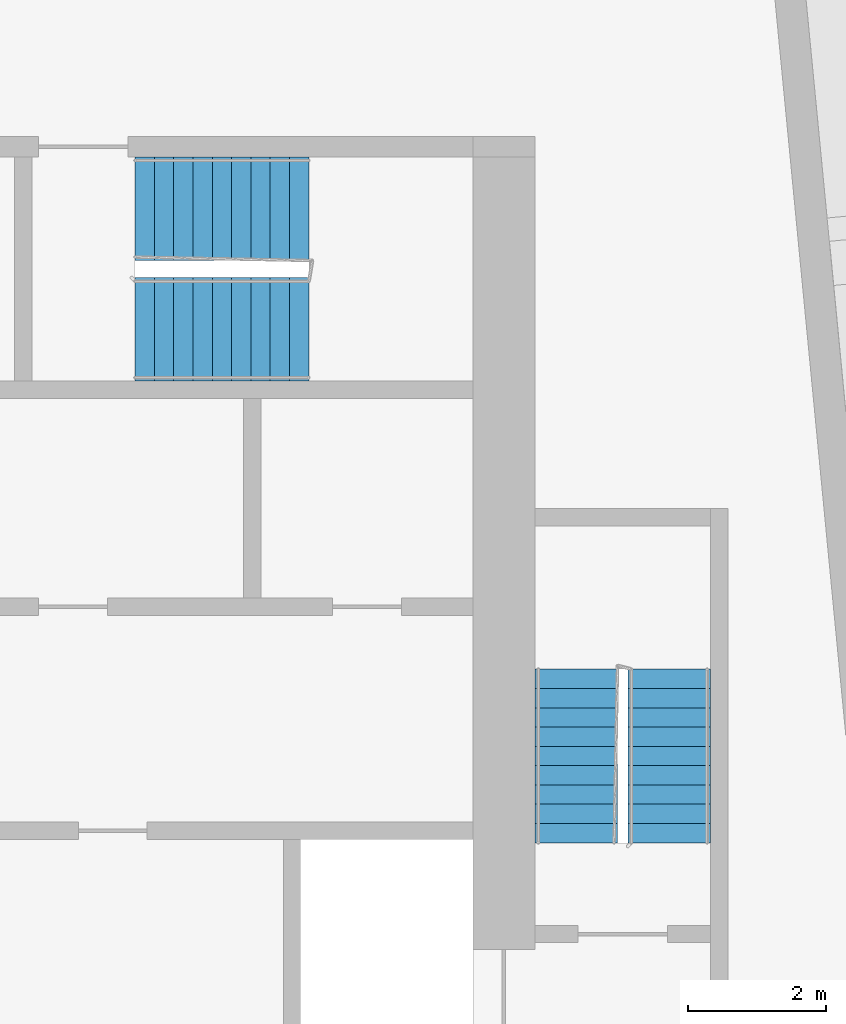
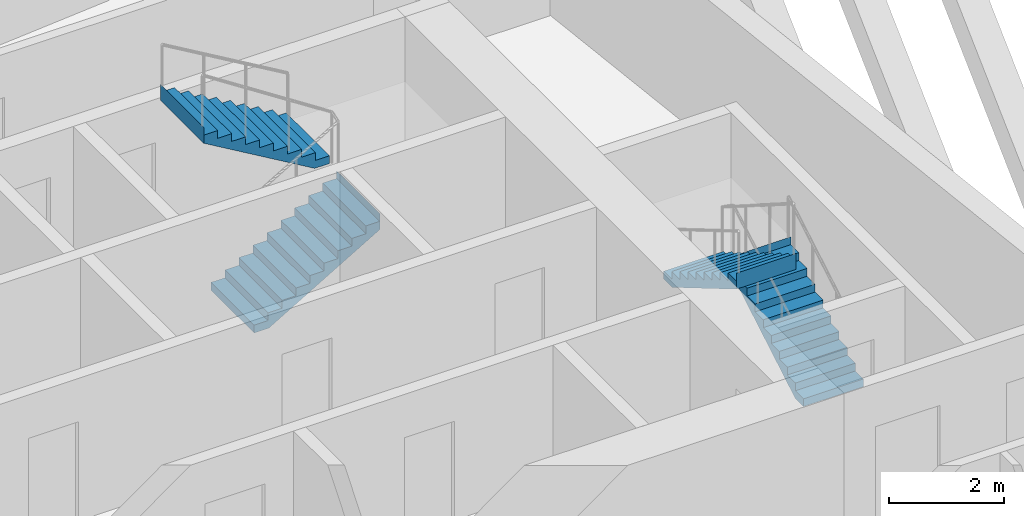
# One storey, part 10 of 12: 4 stair flights, 2 elements without a shape of their own.
"""IFC4 building model written with IfcOpenShell, lengths in metres."""

from ifc_helpers import new_model, si_unit, direction, frame, origin, place, context, subcontext, project, spatial, faceted_brep, material, type_object, element, aggregate, save


model = new_model("IFC4")

# Units and contexts
model_context = context("Model", 3, precision=1e-05, world=origin(), true_north=direction((0.0, 1.0)))
body_context = subcontext(model_context, "Body", "Model", "MODEL_VIEW")
ifc_project = project(units=[si_unit("LENGTHUNIT", "METRE"), si_unit("AREAUNIT", "SQUARE_METRE"), si_unit("VOLUMEUNIT", "CUBIC_METRE"), si_unit("PLANEANGLEUNIT", "RADIAN"), si_unit("MASSUNIT", "GRAM", prefix="KILO")], contexts=[model_context])

# Site, building, storey
site_placement = place(None, origin())
site = spatial("IfcSite", under=ifc_project, at=site_placement, CompositionType="ELEMENT")
building_placement = place(site_placement, origin())
building = spatial("IfcBuilding", under=site, at=building_placement, Name="Kajstack Hotel Tower", CompositionType="ELEMENT")
storey_placement = place(building_placement, frame((0.0, 0.0, 288.300048828125)))
storey = spatial("IfcBuildingStorey", under=building, at=storey_placement, Name="L72", CompositionType="ELEMENT", Elevation=288.300048828125)

# Stair, stair flights
ifc_material = material(Name="Concrete C40/50", Category="concrete")
stair_type_1 = type_object("IfcStairType", Name="Exit stair 1200", PredefinedType="HALF_TURN_STAIR", material=ifc_material)
stair_1_placement = place(storey_placement, origin())
stair_1 = element("IfcStair", 1, at=stair_1_placement, inside=storey, type_object=stair_type_1, Name="L72 stair E1", PredefinedType="HALF_TURN_STAIR")
stair_flight_type_1 = type_object("IfcStairFlightType", Name="Exit stair flight 1200", PredefinedType="STRAIGHT", material=ifc_material)
stair_flight_1_placement = place(storey_placement, frame((33.449951171875, 5.25, 0.0), z_axis=(0.0, 0.0, 1.0), x_axis=(0.0, 1.0, 0.0)))
stair_flight_1 = element("IfcStairFlight", 2, at=stair_flight_1_placement, type_object=stair_flight_type_1, Name="E1 flight 1", NumberOfRisers=10, NumberOfTreads=9, PredefinedType="STRAIGHT", RiserHeight=0.165, TreadLength=0.28, context=body_context, shape_type="Brep", body=[
    faceted_brep([(0.295654296875, -0.60009765625, 0.0), (2.5205078125, -0.60009765625, 1.31103515625), (2.5205078125, -0.60009765625, 1.64990234375), (2.52001953125, -0.60009765625, 1.64990234375), (2.52001953125, -0.60009765625, 1.485107421875), (2.239990234375, -0.60009765625, 1.485107421875), (2.239990234375, -0.60009765625, 1.320068359375), (1.9599609375, -0.60009765625, 1.320068359375), (1.9599609375, -0.60009765625, 1.155029296875), (1.679931640625, -0.60009765625, 1.155029296875), (1.679931640625, -0.60009765625, 0.989990234375), (1.39990234375, -0.60009765625, 0.989990234375), (1.39990234375, -0.60009765625, 0.824951171875), (1.1201171875, -0.60009765625, 0.824951171875), (1.1201171875, -0.60009765625, 0.659912109375), (0.840087890625, -0.60009765625, 0.659912109375), (0.840087890625, -0.60009765625, 0.4951171875), (0.56005859375, -0.60009765625, 0.4951171875), (0.56005859375, -0.60009765625, 0.330078125), (0.280029296875, -0.60009765625, 0.330078125), (0.280029296875, -0.60009765625, 0.1650390625), (-0.00048828125, -0.60009765625, 0.1650390625), (-0.00048828125, -0.60009765625, 0.0), (-0.00048828125, 0.60009765625, 0.0), (-0.00048828125, 0.60009765625, 0.1650390625), (0.280029296875, 0.60009765625, 0.1650390625), (0.280029296875, 0.60009765625, 0.330078125), (0.56005859375, 0.60009765625, 0.330078125), (0.56005859375, 0.60009765625, 0.4951171875), (0.840087890625, 0.60009765625, 0.4951171875), (0.840087890625, 0.60009765625, 0.659912109375), (1.1201171875, 0.60009765625, 0.659912109375), (1.1201171875, 0.60009765625, 0.824951171875), (1.39990234375, 0.60009765625, 0.824951171875), (1.39990234375, 0.60009765625, 0.989990234375), (1.679931640625, 0.60009765625, 0.989990234375), (1.679931640625, 0.60009765625, 1.155029296875), (1.9599609375, 0.60009765625, 1.155029296875), (1.9599609375, 0.60009765625, 1.320068359375), (2.239990234375, 0.60009765625, 1.320068359375), (2.239990234375, 0.60009765625, 1.485107421875), (2.52001953125, 0.60009765625, 1.485107421875), (2.52001953125, 0.60009765625, 1.64990234375), (2.5205078125, 0.60009765625, 1.64990234375), (2.5205078125, 0.60009765625, 1.31103515625), (0.295654296875, 0.60009765625, 0.0), (-0.00048828125, -0.300048828125, 0.1650390625), (-0.00048828125, 0.0, 0.1650390625), (-0.00048828125, 0.300048828125, 0.1650390625), (-0.00048828125, 0.300048828125, 0.0), (-0.00048828125, 0.0, 0.0), (-0.00048828125, -0.300048828125, 0.0), (0.280029296875, -0.300048828125, 0.1650390625), (0.280029296875, 0.0, 0.1650390625), (0.280029296875, 0.300048828125, 0.1650390625), (0.280029296875, -0.300048828125, 0.330078125), (0.280029296875, 0.0, 0.330078125), (0.280029296875, 0.300048828125, 0.330078125), (0.56005859375, -0.300048828125, 0.330078125), (0.56005859375, 0.0, 0.330078125), (0.56005859375, 0.300048828125, 0.330078125), (0.56005859375, -0.300048828125, 0.4951171875), (0.56005859375, 0.0, 0.4951171875), (0.56005859375, 0.300048828125, 0.4951171875), (0.840087890625, -0.300048828125, 0.4951171875), (0.840087890625, 0.0, 0.4951171875), (0.840087890625, 0.300048828125, 0.4951171875), (0.840087890625, -0.300048828125, 0.659912109375), (0.840087890625, 0.0, 0.659912109375), (0.840087890625, 0.300048828125, 0.659912109375), (1.1201171875, -0.300048828125, 0.659912109375), (1.1201171875, 0.0, 0.659912109375), (1.1201171875, 0.300048828125, 0.659912109375), (1.1201171875, -0.300048828125, 0.824951171875), (1.1201171875, 0.0, 0.824951171875), (1.1201171875, 0.300048828125, 0.824951171875), (1.39990234375, -0.300048828125, 0.824951171875), (1.39990234375, 0.0, 0.824951171875), (1.39990234375, 0.300048828125, 0.824951171875), (1.39990234375, -0.300048828125, 0.989990234375), (1.39990234375, 0.0, 0.989990234375), (1.39990234375, 0.300048828125, 0.989990234375), (1.679931640625, -0.300048828125, 0.989990234375), (1.679931640625, 0.0, 0.989990234375), (1.679931640625, 0.300048828125, 0.989990234375), (1.679931640625, -0.300048828125, 1.155029296875), (1.679931640625, 0.0, 1.155029296875), (1.679931640625, 0.300048828125, 1.155029296875), (1.9599609375, -0.300048828125, 1.155029296875), (1.9599609375, 0.0, 1.155029296875), (1.9599609375, 0.300048828125, 1.155029296875), (1.9599609375, -0.300048828125, 1.320068359375), (1.9599609375, 0.0, 1.320068359375), (1.9599609375, 0.300048828125, 1.320068359375), (2.239990234375, -0.300048828125, 1.320068359375), (2.239990234375, 0.0, 1.320068359375), (2.239990234375, 0.300048828125, 1.320068359375), (2.239990234375, -0.300048828125, 1.485107421875), (2.239990234375, 0.0, 1.485107421875), (2.239990234375, 0.300048828125, 1.485107421875), (2.52001953125, -0.300048828125, 1.485107421875), (2.52001953125, 0.0, 1.485107421875), (2.52001953125, 0.300048828125, 1.485107421875), (2.52001953125, -0.300048828125, 1.64990234375), (2.52001953125, 0.0, 1.64990234375), (2.52001953125, 0.300048828125, 1.64990234375), (2.5205078125, -0.300048828125, 1.64990234375), (2.5205078125, 0.0, 1.64990234375), (2.5205078125, 0.300048828125, 1.64990234375), (2.5205078125, -0.300048828125, 1.31103515625), (2.5205078125, 0.0, 1.31103515625), (2.5205078125, 0.300048828125, 1.31103515625), (0.295654296875, -0.300048828125, 0.0), (0.295654296875, 0.0, 0.0), (0.295654296875, 0.300048828125, 0.0)], [[[0, 1, 2, 3, 4, 5, 6, 7, 8, 9, 10, 11, 12, 13, 14, 15, 16, 17, 18, 19, 20, 21, 22]], [[23, 24, 25, 26, 27, 28, 29, 30, 31, 32, 33, 34, 35, 36, 37, 38, 39, 40, 41, 42, 43, 44, 45]], [[21, 46, 47, 48, 24, 23, 49, 50, 51, 22]], [[20, 52, 53, 54, 25, 24, 48, 47, 46, 21]], [[19, 55, 56, 57, 26, 25, 54, 53, 52, 20]], [[18, 58, 59, 60, 27, 26, 57, 56, 55, 19]], [[17, 61, 62, 63, 28, 27, 60, 59, 58, 18]], [[16, 64, 65, 66, 29, 28, 63, 62, 61, 17]], [[15, 67, 68, 69, 30, 29, 66, 65, 64, 16]], [[14, 70, 71, 72, 31, 30, 69, 68, 67, 15]], [[13, 73, 74, 75, 32, 31, 72, 71, 70, 14]], [[12, 76, 77, 78, 33, 32, 75, 74, 73, 13]], [[11, 79, 80, 81, 34, 33, 78, 77, 76, 12]], [[10, 82, 83, 84, 35, 34, 81, 80, 79, 11]], [[9, 85, 86, 87, 36, 35, 84, 83, 82, 10]], [[8, 88, 89, 90, 37, 36, 87, 86, 85, 9]], [[7, 91, 92, 93, 38, 37, 90, 89, 88, 8]], [[6, 94, 95, 96, 39, 38, 93, 92, 91, 7]], [[5, 97, 98, 99, 40, 39, 96, 95, 94, 6]], [[4, 100, 101, 102, 41, 40, 99, 98, 97, 5]], [[3, 103, 104, 105, 42, 41, 102, 101, 100, 4]], [[2, 106, 107, 108, 43, 42, 105, 104, 103, 3]], [[1, 109, 110, 111, 44, 43, 108, 107, 106, 2]], [[0, 112, 113, 114, 45, 44, 111, 110, 109, 1]], [[22, 51, 50, 49, 23, 45, 114, 113, 112, 0]]]),
])
stair_flight_2_placement = place(storey_placement, frame((32.10009765625, 7.77001953125, 1.64990234375), z_axis=(0.0, 0.0, 1.0), x_axis=(0.0, -1.0, 0.0)))
stair_flight_2 = element("IfcStairFlight", 3, at=stair_flight_2_placement, type_object=stair_flight_type_1, Name="E1 flight 2", NumberOfRisers=10, NumberOfTreads=9, PredefinedType="STRAIGHT", RiserHeight=0.165, TreadLength=0.28, context=body_context, shape_type="Brep", body=[
    faceted_brep([(0.295654296875, -0.60009765625, 0.0), (2.5205078125, -0.60009765625, 1.31103515625), (2.5205078125, -0.60009765625, 1.64990234375), (2.52001953125, -0.60009765625, 1.64990234375), (2.52001953125, -0.60009765625, 1.485107421875), (2.239990234375, -0.60009765625, 1.485107421875), (2.239990234375, -0.60009765625, 1.320068359375), (1.9599609375, -0.60009765625, 1.320068359375), (1.9599609375, -0.60009765625, 1.155029296875), (1.679931640625, -0.60009765625, 1.155029296875), (1.679931640625, -0.60009765625, 0.989990234375), (1.39990234375, -0.60009765625, 0.989990234375), (1.39990234375, -0.60009765625, 0.824951171875), (1.1201171875, -0.60009765625, 0.824951171875), (1.1201171875, -0.60009765625, 0.659912109375), (0.840087890625, -0.60009765625, 0.659912109375), (0.840087890625, -0.60009765625, 0.4951171875), (0.56005859375, -0.60009765625, 0.4951171875), (0.56005859375, -0.60009765625, 0.330078125), (0.280029296875, -0.60009765625, 0.330078125), (0.280029296875, -0.60009765625, 0.1650390625), (-0.00048828125, -0.60009765625, 0.1650390625), (-0.00048828125, -0.60009765625, 0.0), (-0.00048828125, 0.60009765625, 0.0), (-0.00048828125, 0.60009765625, 0.1650390625), (0.280029296875, 0.60009765625, 0.1650390625), (0.280029296875, 0.60009765625, 0.330078125), (0.56005859375, 0.60009765625, 0.330078125), (0.56005859375, 0.60009765625, 0.4951171875), (0.840087890625, 0.60009765625, 0.4951171875), (0.840087890625, 0.60009765625, 0.659912109375), (1.1201171875, 0.60009765625, 0.659912109375), (1.1201171875, 0.60009765625, 0.824951171875), (1.39990234375, 0.60009765625, 0.824951171875), (1.39990234375, 0.60009765625, 0.989990234375), (1.679931640625, 0.60009765625, 0.989990234375), (1.679931640625, 0.60009765625, 1.155029296875), (1.9599609375, 0.60009765625, 1.155029296875), (1.9599609375, 0.60009765625, 1.320068359375), (2.239990234375, 0.60009765625, 1.320068359375), (2.239990234375, 0.60009765625, 1.485107421875), (2.52001953125, 0.60009765625, 1.485107421875), (2.52001953125, 0.60009765625, 1.64990234375), (2.5205078125, 0.60009765625, 1.64990234375), (2.5205078125, 0.60009765625, 1.31103515625), (0.295654296875, 0.60009765625, 0.0), (-0.00048828125, -0.300048828125, 0.1650390625), (-0.00048828125, 0.0, 0.1650390625), (-0.00048828125, 0.300048828125, 0.1650390625), (-0.00048828125, 0.300048828125, 0.0), (-0.00048828125, 0.0, 0.0), (-0.00048828125, -0.300048828125, 0.0), (0.280029296875, -0.300048828125, 0.1650390625), (0.280029296875, 0.0, 0.1650390625), (0.280029296875, 0.300048828125, 0.1650390625), (0.280029296875, -0.300048828125, 0.330078125), (0.280029296875, 0.0, 0.330078125), (0.280029296875, 0.300048828125, 0.330078125), (0.56005859375, -0.300048828125, 0.330078125), (0.56005859375, 0.0, 0.330078125), (0.56005859375, 0.300048828125, 0.330078125), (0.56005859375, -0.300048828125, 0.4951171875), (0.56005859375, 0.0, 0.4951171875), (0.56005859375, 0.300048828125, 0.4951171875), (0.840087890625, -0.300048828125, 0.4951171875), (0.840087890625, 0.0, 0.4951171875), (0.840087890625, 0.300048828125, 0.4951171875), (0.840087890625, -0.300048828125, 0.659912109375), (0.840087890625, 0.0, 0.659912109375), (0.840087890625, 0.300048828125, 0.659912109375), (1.1201171875, -0.300048828125, 0.659912109375), (1.1201171875, 0.0, 0.659912109375), (1.1201171875, 0.300048828125, 0.659912109375), (1.1201171875, -0.300048828125, 0.824951171875), (1.1201171875, 0.0, 0.824951171875), (1.1201171875, 0.300048828125, 0.824951171875), (1.39990234375, -0.300048828125, 0.824951171875), (1.39990234375, 0.0, 0.824951171875), (1.39990234375, 0.300048828125, 0.824951171875), (1.39990234375, -0.300048828125, 0.989990234375), (1.39990234375, 0.0, 0.989990234375), (1.39990234375, 0.300048828125, 0.989990234375), (1.679931640625, -0.300048828125, 0.989990234375), (1.679931640625, 0.0, 0.989990234375), (1.679931640625, 0.300048828125, 0.989990234375), (1.679931640625, -0.300048828125, 1.155029296875), (1.679931640625, 0.0, 1.155029296875), (1.679931640625, 0.300048828125, 1.155029296875), (1.9599609375, -0.300048828125, 1.155029296875), (1.9599609375, 0.0, 1.155029296875), (1.9599609375, 0.300048828125, 1.155029296875), (1.9599609375, -0.300048828125, 1.320068359375), (1.9599609375, 0.0, 1.320068359375), (1.9599609375, 0.300048828125, 1.320068359375), (2.239990234375, -0.300048828125, 1.320068359375), (2.239990234375, 0.0, 1.320068359375), (2.239990234375, 0.300048828125, 1.320068359375), (2.239990234375, -0.300048828125, 1.485107421875), (2.239990234375, 0.0, 1.485107421875), (2.239990234375, 0.300048828125, 1.485107421875), (2.52001953125, -0.300048828125, 1.485107421875), (2.52001953125, 0.0, 1.485107421875), (2.52001953125, 0.300048828125, 1.485107421875), (2.52001953125, -0.300048828125, 1.64990234375), (2.52001953125, 0.0, 1.64990234375), (2.52001953125, 0.300048828125, 1.64990234375), (2.5205078125, -0.300048828125, 1.64990234375), (2.5205078125, 0.0, 1.64990234375), (2.5205078125, 0.300048828125, 1.64990234375), (2.5205078125, -0.300048828125, 1.31103515625), (2.5205078125, 0.0, 1.31103515625), (2.5205078125, 0.300048828125, 1.31103515625), (0.295654296875, -0.300048828125, 0.0), (0.295654296875, 0.0, 0.0), (0.295654296875, 0.300048828125, 0.0)], [[[0, 1, 2, 3, 4, 5, 6, 7, 8, 9, 10, 11, 12, 13, 14, 15, 16, 17, 18, 19, 20, 21, 22]], [[23, 24, 25, 26, 27, 28, 29, 30, 31, 32, 33, 34, 35, 36, 37, 38, 39, 40, 41, 42, 43, 44, 45]], [[21, 46, 47, 48, 24, 23, 49, 50, 51, 22]], [[20, 52, 53, 54, 25, 24, 48, 47, 46, 21]], [[19, 55, 56, 57, 26, 25, 54, 53, 52, 20]], [[18, 58, 59, 60, 27, 26, 57, 56, 55, 19]], [[17, 61, 62, 63, 28, 27, 60, 59, 58, 18]], [[16, 64, 65, 66, 29, 28, 63, 62, 61, 17]], [[15, 67, 68, 69, 30, 29, 66, 65, 64, 16]], [[14, 70, 71, 72, 31, 30, 69, 68, 67, 15]], [[13, 73, 74, 75, 32, 31, 72, 71, 70, 14]], [[12, 76, 77, 78, 33, 32, 75, 74, 73, 13]], [[11, 79, 80, 81, 34, 33, 78, 77, 76, 12]], [[10, 82, 83, 84, 35, 34, 81, 80, 79, 11]], [[9, 85, 86, 87, 36, 35, 84, 83, 82, 10]], [[8, 88, 89, 90, 37, 36, 87, 86, 85, 9]], [[7, 91, 92, 93, 38, 37, 90, 89, 88, 8]], [[6, 94, 95, 96, 39, 38, 93, 92, 91, 7]], [[5, 97, 98, 99, 40, 39, 96, 95, 94, 6]], [[4, 100, 101, 102, 41, 40, 99, 98, 97, 5]], [[3, 103, 104, 105, 42, 41, 102, 101, 100, 4]], [[2, 106, 107, 108, 43, 42, 105, 104, 103, 3]], [[1, 109, 110, 111, 44, 43, 108, 107, 106, 2]], [[0, 112, 113, 114, 45, 44, 111, 110, 109, 1]], [[22, 51, 50, 49, 23, 45, 114, 113, 112, 0]]]),
])
aggregate(stair_1, [stair_flight_1, stair_flight_2])

stair_type_2 = type_object("IfcStairType", Name="Exit stair 1500", PredefinedType="HALF_TURN_STAIR", material=ifc_material)
stair_2_placement = place(storey_placement, origin())
stair_2 = element("IfcStair", 4, at=stair_2_placement, inside=storey, type_object=stair_type_2, Name="L72 stair E3", PredefinedType="HALF_TURN_STAIR")
stair_flight_type_2 = type_object("IfcStairFlightType", Name="Exit stair flight 1500", PredefinedType="STRAIGHT", material=ifc_material)
stair_flight_3_placement = place(storey_placement, frame((25.699951171875, 12.699951171875, 0.0), z_axis=(0.0, 0.0, 1.0), x_axis=(1.0, 0.0, 0.0)))
stair_flight_3 = element("IfcStairFlight", 5, at=stair_flight_3_placement, type_object=stair_flight_type_2, Name="E3 flight 1", NumberOfRisers=10, NumberOfTreads=9, PredefinedType="STRAIGHT", RiserHeight=0.165, TreadLength=0.28, context=body_context, shape_type="Brep", body=[
    faceted_brep([(0.295654296875, -0.75, 0.0), (2.5205078125, -0.75, 1.31103515625), (2.5205078125, -0.75, 1.64990234375), (2.52001953125, -0.75, 1.64990234375), (2.52001953125, -0.75, 1.485107421875), (2.239990234375, -0.75, 1.485107421875), (2.239990234375, -0.75, 1.320068359375), (1.9599609375, -0.75, 1.320068359375), (1.9599609375, -0.75, 1.155029296875), (1.679931640625, -0.75, 1.155029296875), (1.679931640625, -0.75, 0.989990234375), (1.39990234375, -0.75, 0.989990234375), (1.39990234375, -0.75, 0.824951171875), (1.1201171875, -0.75, 0.824951171875), (1.1201171875, -0.75, 0.659912109375), (0.840087890625, -0.75, 0.659912109375), (0.840087890625, -0.75, 0.4951171875), (0.56005859375, -0.75, 0.4951171875), (0.56005859375, -0.75, 0.330078125), (0.280029296875, -0.75, 0.330078125), (0.280029296875, -0.75, 0.1650390625), (-0.00048828125, -0.75, 0.1650390625), (-0.00048828125, -0.75, 0.0), (-0.00048828125, 0.75, 0.0), (-0.00048828125, 0.75, 0.1650390625), (0.280029296875, 0.75, 0.1650390625), (0.280029296875, 0.75, 0.330078125), (0.56005859375, 0.75, 0.330078125), (0.56005859375, 0.75, 0.4951171875), (0.840087890625, 0.75, 0.4951171875), (0.840087890625, 0.75, 0.659912109375), (1.1201171875, 0.75, 0.659912109375), (1.1201171875, 0.75, 0.824951171875), (1.39990234375, 0.75, 0.824951171875), (1.39990234375, 0.75, 0.989990234375), (1.679931640625, 0.75, 0.989990234375), (1.679931640625, 0.75, 1.155029296875), (1.9599609375, 0.75, 1.155029296875), (1.9599609375, 0.75, 1.320068359375), (2.239990234375, 0.75, 1.320068359375), (2.239990234375, 0.75, 1.485107421875), (2.52001953125, 0.75, 1.485107421875), (2.52001953125, 0.75, 1.64990234375), (2.5205078125, 0.75, 1.64990234375), (2.5205078125, 0.75, 1.31103515625), (0.295654296875, 0.75, 0.0), (-0.00048828125, -0.375, 0.1650390625), (-0.00048828125, 0.0, 0.1650390625), (-0.00048828125, 0.375, 0.1650390625), (-0.00048828125, 0.375, 0.0), (-0.00048828125, 0.0, 0.0), (-0.00048828125, -0.375, 0.0), (0.280029296875, -0.375, 0.1650390625), (0.280029296875, 0.0, 0.1650390625), (0.280029296875, 0.375, 0.1650390625), (0.280029296875, -0.375, 0.330078125), (0.280029296875, 0.0, 0.330078125), (0.280029296875, 0.375, 0.330078125), (0.56005859375, -0.375, 0.330078125), (0.56005859375, 0.0, 0.330078125), (0.56005859375, 0.375, 0.330078125), (0.56005859375, -0.375, 0.4951171875), (0.56005859375, 0.0, 0.4951171875), (0.56005859375, 0.375, 0.4951171875), (0.840087890625, -0.375, 0.4951171875), (0.840087890625, 0.0, 0.4951171875), (0.840087890625, 0.375, 0.4951171875), (0.840087890625, -0.375, 0.659912109375), (0.840087890625, 0.0, 0.659912109375), (0.840087890625, 0.375, 0.659912109375), (1.1201171875, -0.375, 0.659912109375), (1.1201171875, 0.0, 0.659912109375), (1.1201171875, 0.375, 0.659912109375), (1.1201171875, -0.375, 0.824951171875), (1.1201171875, 0.0, 0.824951171875), (1.1201171875, 0.375, 0.824951171875), (1.39990234375, -0.375, 0.824951171875), (1.39990234375, 0.0, 0.824951171875), (1.39990234375, 0.375, 0.824951171875), (1.39990234375, -0.375, 0.989990234375), (1.39990234375, 0.0, 0.989990234375), (1.39990234375, 0.375, 0.989990234375), (1.679931640625, -0.375, 0.989990234375), (1.679931640625, 0.0, 0.989990234375), (1.679931640625, 0.375, 0.989990234375), (1.679931640625, -0.375, 1.155029296875), (1.679931640625, 0.0, 1.155029296875), (1.679931640625, 0.375, 1.155029296875), (1.9599609375, -0.375, 1.155029296875), (1.9599609375, 0.0, 1.155029296875), (1.9599609375, 0.375, 1.155029296875), (1.9599609375, -0.375, 1.320068359375), (1.9599609375, 0.0, 1.320068359375), (1.9599609375, 0.375, 1.320068359375), (2.239990234375, -0.375, 1.320068359375), (2.239990234375, 0.0, 1.320068359375), (2.239990234375, 0.375, 1.320068359375), (2.239990234375, -0.375, 1.485107421875), (2.239990234375, 0.0, 1.485107421875), (2.239990234375, 0.375, 1.485107421875), (2.52001953125, -0.375, 1.485107421875), (2.52001953125, 0.0, 1.485107421875), (2.52001953125, 0.375, 1.485107421875), (2.52001953125, -0.375, 1.64990234375), (2.52001953125, 0.0, 1.64990234375), (2.52001953125, 0.375, 1.64990234375), (2.5205078125, -0.375, 1.64990234375), (2.5205078125, 0.0, 1.64990234375), (2.5205078125, 0.375, 1.64990234375), (2.5205078125, -0.375, 1.31103515625), (2.5205078125, 0.0, 1.31103515625), (2.5205078125, 0.375, 1.31103515625), (0.295654296875, -0.375, 0.0), (0.295654296875, 0.0, 0.0), (0.295654296875, 0.375, 0.0)], [[[0, 1, 2, 3, 4, 5, 6, 7, 8, 9, 10, 11, 12, 13, 14, 15, 16, 17, 18, 19, 20, 21, 22]], [[23, 24, 25, 26, 27, 28, 29, 30, 31, 32, 33, 34, 35, 36, 37, 38, 39, 40, 41, 42, 43, 44, 45]], [[21, 46, 47, 48, 24, 23, 49, 50, 51, 22]], [[20, 52, 53, 54, 25, 24, 48, 47, 46, 21]], [[19, 55, 56, 57, 26, 25, 54, 53, 52, 20]], [[18, 58, 59, 60, 27, 26, 57, 56, 55, 19]], [[17, 61, 62, 63, 28, 27, 60, 59, 58, 18]], [[16, 64, 65, 66, 29, 28, 63, 62, 61, 17]], [[15, 67, 68, 69, 30, 29, 66, 65, 64, 16]], [[14, 70, 71, 72, 31, 30, 69, 68, 67, 15]], [[13, 73, 74, 75, 32, 31, 72, 71, 70, 14]], [[12, 76, 77, 78, 33, 32, 75, 74, 73, 13]], [[11, 79, 80, 81, 34, 33, 78, 77, 76, 12]], [[10, 82, 83, 84, 35, 34, 81, 80, 79, 11]], [[9, 85, 86, 87, 36, 35, 84, 83, 82, 10]], [[8, 88, 89, 90, 37, 36, 87, 86, 85, 9]], [[7, 91, 92, 93, 38, 37, 90, 89, 88, 8]], [[6, 94, 95, 96, 39, 38, 93, 92, 91, 7]], [[5, 97, 98, 99, 40, 39, 96, 95, 94, 6]], [[4, 100, 101, 102, 41, 40, 99, 98, 97, 5]], [[3, 103, 104, 105, 42, 41, 102, 101, 100, 4]], [[2, 106, 107, 108, 43, 42, 105, 104, 103, 3]], [[1, 109, 110, 111, 44, 43, 108, 107, 106, 2]], [[0, 112, 113, 114, 45, 44, 111, 110, 109, 1]], [[22, 51, 50, 49, 23, 45, 114, 113, 112, 0]]]),
])
stair_flight_4_placement = place(storey_placement, frame((28.219970703125, 14.449951171875, 1.64990234375), z_axis=(0.0, 0.0, 1.0), x_axis=(-1.0, 0.0, 0.0)))
stair_flight_4 = element("IfcStairFlight", 6, at=stair_flight_4_placement, type_object=stair_flight_type_2, Name="E3 flight 2", NumberOfRisers=10, NumberOfTreads=9, PredefinedType="STRAIGHT", RiserHeight=0.165, TreadLength=0.28, context=body_context, shape_type="Brep", body=[
    faceted_brep([(0.295654296875, -0.75, 0.0), (2.5205078125, -0.75, 1.31103515625), (2.5205078125, -0.75, 1.64990234375), (2.52001953125, -0.75, 1.64990234375), (2.52001953125, -0.75, 1.485107421875), (2.239990234375, -0.75, 1.485107421875), (2.239990234375, -0.75, 1.320068359375), (1.9599609375, -0.75, 1.320068359375), (1.9599609375, -0.75, 1.155029296875), (1.679931640625, -0.75, 1.155029296875), (1.679931640625, -0.75, 0.989990234375), (1.39990234375, -0.75, 0.989990234375), (1.39990234375, -0.75, 0.824951171875), (1.1201171875, -0.75, 0.824951171875), (1.1201171875, -0.75, 0.659912109375), (0.840087890625, -0.75, 0.659912109375), (0.840087890625, -0.75, 0.4951171875), (0.56005859375, -0.75, 0.4951171875), (0.56005859375, -0.75, 0.330078125), (0.280029296875, -0.75, 0.330078125), (0.280029296875, -0.75, 0.1650390625), (-0.00048828125, -0.75, 0.1650390625), (-0.00048828125, -0.75, 0.0), (-0.00048828125, 0.75, 0.0), (-0.00048828125, 0.75, 0.1650390625), (0.280029296875, 0.75, 0.1650390625), (0.280029296875, 0.75, 0.330078125), (0.56005859375, 0.75, 0.330078125), (0.56005859375, 0.75, 0.4951171875), (0.840087890625, 0.75, 0.4951171875), (0.840087890625, 0.75, 0.659912109375), (1.1201171875, 0.75, 0.659912109375), (1.1201171875, 0.75, 0.824951171875), (1.39990234375, 0.75, 0.824951171875), (1.39990234375, 0.75, 0.989990234375), (1.679931640625, 0.75, 0.989990234375), (1.679931640625, 0.75, 1.155029296875), (1.9599609375, 0.75, 1.155029296875), (1.9599609375, 0.75, 1.320068359375), (2.239990234375, 0.75, 1.320068359375), (2.239990234375, 0.75, 1.485107421875), (2.52001953125, 0.75, 1.485107421875), (2.52001953125, 0.75, 1.64990234375), (2.5205078125, 0.75, 1.64990234375), (2.5205078125, 0.75, 1.31103515625), (0.295654296875, 0.75, 0.0), (-0.00048828125, -0.375, 0.1650390625), (-0.00048828125, 0.0, 0.1650390625), (-0.00048828125, 0.375, 0.1650390625), (-0.00048828125, 0.375, 0.0), (-0.00048828125, 0.0, 0.0), (-0.00048828125, -0.375, 0.0), (0.280029296875, -0.375, 0.1650390625), (0.280029296875, 0.0, 0.1650390625), (0.280029296875, 0.375, 0.1650390625), (0.280029296875, -0.375, 0.330078125), (0.280029296875, 0.0, 0.330078125), (0.280029296875, 0.375, 0.330078125), (0.56005859375, -0.375, 0.330078125), (0.56005859375, 0.0, 0.330078125), (0.56005859375, 0.375, 0.330078125), (0.56005859375, -0.375, 0.4951171875), (0.56005859375, 0.0, 0.4951171875), (0.56005859375, 0.375, 0.4951171875), (0.840087890625, -0.375, 0.4951171875), (0.840087890625, 0.0, 0.4951171875), (0.840087890625, 0.375, 0.4951171875), (0.840087890625, -0.375, 0.659912109375), (0.840087890625, 0.0, 0.659912109375), (0.840087890625, 0.375, 0.659912109375), (1.1201171875, -0.375, 0.659912109375), (1.1201171875, 0.0, 0.659912109375), (1.1201171875, 0.375, 0.659912109375), (1.1201171875, -0.375, 0.824951171875), (1.1201171875, 0.0, 0.824951171875), (1.1201171875, 0.375, 0.824951171875), (1.39990234375, -0.375, 0.824951171875), (1.39990234375, 0.0, 0.824951171875), (1.39990234375, 0.375, 0.824951171875), (1.39990234375, -0.375, 0.989990234375), (1.39990234375, 0.0, 0.989990234375), (1.39990234375, 0.375, 0.989990234375), (1.679931640625, -0.375, 0.989990234375), (1.679931640625, 0.0, 0.989990234375), (1.679931640625, 0.375, 0.989990234375), (1.679931640625, -0.375, 1.155029296875), (1.679931640625, 0.0, 1.155029296875), (1.679931640625, 0.375, 1.155029296875), (1.9599609375, -0.375, 1.155029296875), (1.9599609375, 0.0, 1.155029296875), (1.9599609375, 0.375, 1.155029296875), (1.9599609375, -0.375, 1.320068359375), (1.9599609375, 0.0, 1.320068359375), (1.9599609375, 0.375, 1.320068359375), (2.239990234375, -0.375, 1.320068359375), (2.239990234375, 0.0, 1.320068359375), (2.239990234375, 0.375, 1.320068359375), (2.239990234375, -0.375, 1.485107421875), (2.239990234375, 0.0, 1.485107421875), (2.239990234375, 0.375, 1.485107421875), (2.52001953125, -0.375, 1.485107421875), (2.52001953125, 0.0, 1.485107421875), (2.52001953125, 0.375, 1.485107421875), (2.52001953125, -0.375, 1.64990234375), (2.52001953125, 0.0, 1.64990234375), (2.52001953125, 0.375, 1.64990234375), (2.5205078125, -0.375, 1.64990234375), (2.5205078125, 0.0, 1.64990234375), (2.5205078125, 0.375, 1.64990234375), (2.5205078125, -0.375, 1.31103515625), (2.5205078125, 0.0, 1.31103515625), (2.5205078125, 0.375, 1.31103515625), (0.295654296875, -0.375, 0.0), (0.295654296875, 0.0, 0.0), (0.295654296875, 0.375, 0.0)], [[[0, 1, 2, 3, 4, 5, 6, 7, 8, 9, 10, 11, 12, 13, 14, 15, 16, 17, 18, 19, 20, 21, 22]], [[23, 24, 25, 26, 27, 28, 29, 30, 31, 32, 33, 34, 35, 36, 37, 38, 39, 40, 41, 42, 43, 44, 45]], [[21, 46, 47, 48, 24, 23, 49, 50, 51, 22]], [[20, 52, 53, 54, 25, 24, 48, 47, 46, 21]], [[19, 55, 56, 57, 26, 25, 54, 53, 52, 20]], [[18, 58, 59, 60, 27, 26, 57, 56, 55, 19]], [[17, 61, 62, 63, 28, 27, 60, 59, 58, 18]], [[16, 64, 65, 66, 29, 28, 63, 62, 61, 17]], [[15, 67, 68, 69, 30, 29, 66, 65, 64, 16]], [[14, 70, 71, 72, 31, 30, 69, 68, 67, 15]], [[13, 73, 74, 75, 32, 31, 72, 71, 70, 14]], [[12, 76, 77, 78, 33, 32, 75, 74, 73, 13]], [[11, 79, 80, 81, 34, 33, 78, 77, 76, 12]], [[10, 82, 83, 84, 35, 34, 81, 80, 79, 11]], [[9, 85, 86, 87, 36, 35, 84, 83, 82, 10]], [[8, 88, 89, 90, 37, 36, 87, 86, 85, 9]], [[7, 91, 92, 93, 38, 37, 90, 89, 88, 8]], [[6, 94, 95, 96, 39, 38, 93, 92, 91, 7]], [[5, 97, 98, 99, 40, 39, 96, 95, 94, 6]], [[4, 100, 101, 102, 41, 40, 99, 98, 97, 5]], [[3, 103, 104, 105, 42, 41, 102, 101, 100, 4]], [[2, 106, 107, 108, 43, 42, 105, 104, 103, 3]], [[1, 109, 110, 111, 44, 43, 108, 107, 106, 2]], [[0, 112, 113, 114, 45, 44, 111, 110, 109, 1]], [[22, 51, 50, 49, 23, 45, 114, 113, 112, 0]]]),
])
aggregate(stair_2, [stair_flight_3, stair_flight_4])

save(model, "model.ifc")
